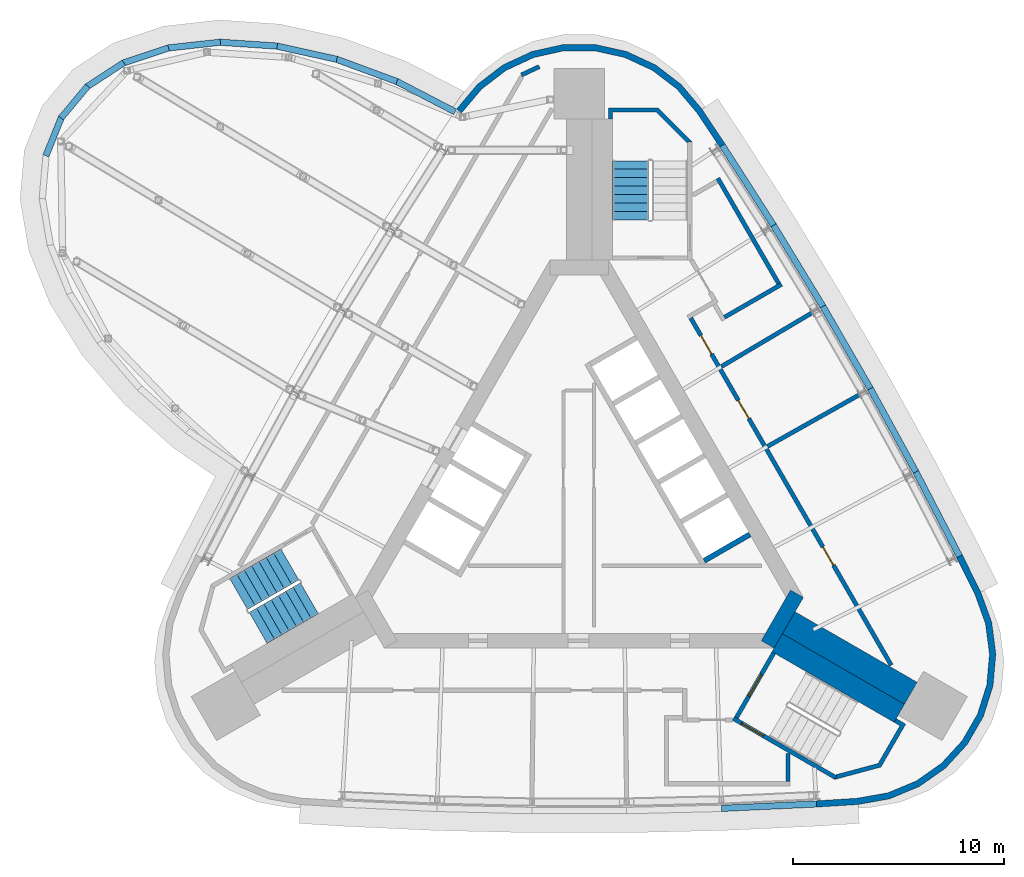
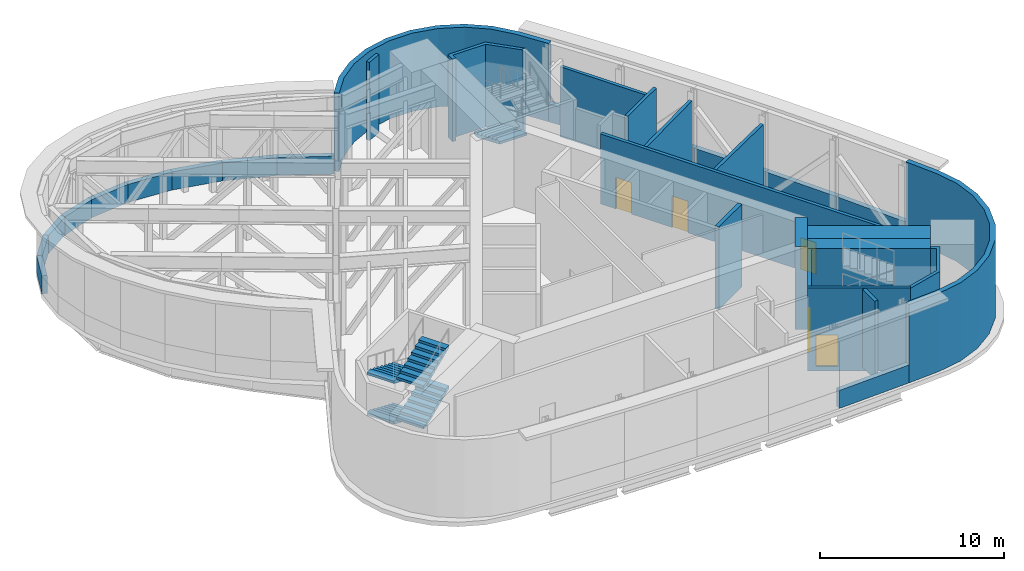
# One storey, part 8 of 11: 32 walls, 5 doors, 5 stair flights, 5 openings, 2 elements without a shape of their own.
"""IFC4 building model written with IfcOpenShell, lengths in metres."""

from ifc_helpers import new_model, si_unit, direction, frame, frame_2d, origin, place, context, subcontext, project, spatial, polyline, rectangle, outline, extrude, material, layer, layer_set, type_object, element, fill, aggregate, save


model = new_model("IFC4")

# Units and contexts
model_context = context("Model", 3, precision=1e-05, world=origin(), true_north=direction((0.0, 1.0)))
body_context = subcontext(model_context, "Body", "Model", "MODEL_VIEW")
ifc_project = project(units=[si_unit("LENGTHUNIT", "METRE"), si_unit("AREAUNIT", "SQUARE_METRE"), si_unit("VOLUMEUNIT", "CUBIC_METRE"), si_unit("PLANEANGLEUNIT", "RADIAN"), si_unit("MASSUNIT", "GRAM", prefix="KILO")], contexts=[model_context])

# Site, building, storey
site_placement = place(None, origin())
site = spatial("IfcSite", under=ifc_project, at=site_placement, CompositionType="ELEMENT")
building_placement = place(site_placement, origin())
building = spatial("IfcBuilding", under=site, at=building_placement, Name="Noor Cloister Tower", CompositionType="ELEMENT")
storey_placement = place(building_placement, frame((0.0, 0.0, 258.0)))
storey = spatial("IfcBuildingStorey", under=building, at=storey_placement, Name="L66", CompositionType="ELEMENT", Elevation=258.0)

# Walls
ifc_material_1 = material(Name="Concrete C60/75", Category="concrete")
ifc_layer_1 = layer(ifc_material_1, 1.199951171875)
ifc_layer_set_1 = layer_set([ifc_layer_1], Name="Buttress wall 1200 C60/75")
wall_type_1 = type_object("IfcWallType", Name="Buttress wall 1200 C60/75", PredefinedType="SHEAR", material=ifc_layer_set_1)
wall_1_placement = place(storey_placement, frame((9.921630859375, -5.728271484375, -0.300048828125), z_axis=(0.0, 0.0, 1.0), x_axis=(0.866032176823, -0.499988268569, 0.0)))
element("IfcWall", 1, at=wall_1_placement, inside=storey, type_object=wall_type_1, Name="Buttress wall SE L66", PredefinedType="SHEAR", context=body_context, shape_type="SweptSolid", body=[
    extrude(rectangle(XDim=6.678466796875, YDim=1.199951171875, at=frame_2d((3.33935546875, 0.0))), origin(), (0.0, 0.0, 1.0), 5.5),
])
ifc_material_2 = material(Name="Concrete C60/75", Category="concrete")
ifc_layer_2 = layer(ifc_material_2, 0.699951171875)
ifc_layer_set_2 = layer_set([ifc_layer_2], Name="Core wall 700 C60/75")
wall_type_2 = type_object("IfcWallType", Name="Core wall 700 C60/75", PredefinedType="SHEAR", material=ifc_layer_set_2)
wall_2_placement = place(storey_placement, frame((8.925537109375, -6.753173828125, -0.300048828125), z_axis=(0.0, 0.0, 1.0), x_axis=(0.500042739161, 0.866000726912, 0.0)))
element("IfcWall", 2, at=wall_2_placement, inside=storey, type_object=wall_type_2, Name="Core wall L66 2", PredefinedType="SHEAR", context=body_context, shape_type="SweptSolid", body=[
    extrude(rectangle(XDim=2.771240234375, YDim=0.699951171875, at=frame_2d((1.3857421875, 0.0))), origin(), (0.0, 0.0, 1.0), 5.5),
])
ifc_material_3 = material(Name="Limestone", Category="masonry")
ifc_layer_3 = layer(ifc_material_3, 0.300048828125)
ifc_layer_set_3 = layer_set([ifc_layer_3], Name="Limestone cladding 300")
wall_type_3 = type_object("IfcWallType", Name="Limestone cladding 300", PredefinedType="NOTDEFINED", material=ifc_layer_set_3)
wall_3_placement = place(storey_placement, origin())
element("IfcWall", 3, at=wall_3_placement, inside=storey, type_object=wall_type_3, Name="Limestone pier cladding L66 2.1", PredefinedType="NOTDEFINED", context=body_context, shape_type="SweptSolid", body=[
    extrude(outline(polyline([(11.24365234375, -14.46044921875), (13.21142578125, -14.336181640625), (14.707763671875, -14.068603515625), (16.11083984375, -13.484619140625), (17.35498046875, -12.611083984375), (18.381103515625, -11.489990234375), (19.14111328125, -10.173583984375), (19.59912109375, -8.724365234375), (19.7333984375, -7.210205078125), (19.53759765625, -5.702880859375), (19.021240234375, -4.2734375), (18.14501953125, -2.507080078125), (17.876220703125, -2.640380859375), (18.744873046875, -4.391357421875), (19.244384765625, -5.77392578125), (19.431640625, -7.21630859375), (19.30322265625, -8.6650390625), (18.864990234375, -10.052001953125), (18.1376953125, -11.3115234375), (17.15576171875, -12.384521484375), (15.96533203125, -13.22021484375), (14.62255859375, -13.779052734375), (13.175537109375, -14.037841796875), (11.224853515625, -14.1611328125), (11.24365234375, -14.46044921875)])), origin(), (0.0, 0.0, 1.0), 5.199951171875),
])
wall_4_placement = place(storey_placement, origin())
element("IfcWall", 4, at=wall_4_placement, inside=storey, type_object=wall_type_3, Name="Limestone pier cladding L66 3.1", PredefinedType="NOTDEFINED", context=body_context, shape_type="SweptSolid", body=[
    extrude(outline(polyline([(6.9013671875, 16.967529296875), (5.809814453125, 18.609619140625), (4.830078125, 19.771484375), (3.62255859375, 20.69482421875), (2.244140625, 21.33544921875), (0.760009765625, 21.66357421875), (-0.760009765625, 21.66357421875), (-2.244140625, 21.33544921875), (-3.62255859375, 20.69482421875), (-4.830078125, 19.771484375), (-5.809814453125, 18.609619140625), (-5.580322265625, 18.416259765625), (-4.621826171875, 19.55322265625), (-3.46630859375, 20.4365234375), (-2.1474609375, 21.049560546875), (-0.727294921875, 21.363525390625), (0.727294921875, 21.363525390625), (2.1474609375, 21.049560546875), (3.46630859375, 20.4365234375), (4.621826171875, 19.55322265625), (5.5693359375, 18.42919921875), (6.6513671875, 16.801513671875), (6.9013671875, 16.967529296875)])), origin(), (0.0, 0.0, 1.0), 5.199951171875),
])
ifc_material_4 = material(Name="Limestone", Category="masonry")
ifc_layer_4 = layer(ifc_material_4, 0.300048828125)
ifc_layer_set_4 = layer_set([ifc_layer_4], Name="Limestone panel wall 300")
wall_type_4 = type_object("IfcWallType", Name="Limestone panel wall 300", PredefinedType="NOTDEFINED", material=ifc_layer_set_4)
wall_5_placement = place(storey_placement, origin())
element("IfcWall", 5, at=wall_5_placement, inside=storey, type_object=wall_type_4, Name="Limestone panel wall L66 1.1", PredefinedType="NOTDEFINED", context=body_context, shape_type="SweptSolid", body=[
    extrude(outline(polyline([(-5.809814453125, 18.609619140625), (-8.585205078125, 20.05078125), (-8.7236328125, 19.784423828125), (-5.947998046875, 18.34326171875), (-5.809814453125, 18.609619140625)])), origin(), (0.0, 0.0, 1.0), 1.199951171875),
])
wall_6_placement = place(storey_placement, origin())
element("IfcWall", 6, at=wall_6_placement, inside=storey, type_object=wall_type_4, Name="Limestone panel wall L66 1.2", PredefinedType="NOTDEFINED", context=body_context, shape_type="SweptSolid", body=[
    extrude(outline(polyline([(-8.585205078125, 20.05078125), (-11.451416015625, 21.107421875), (-11.55517578125, 20.825927734375), (-8.68896484375, 19.769287109375), (-8.585205078125, 20.05078125)])), origin(), (0.0, 0.0, 1.0), 1.199951171875),
])
wall_7_placement = place(storey_placement, origin())
element("IfcWall", 7, at=wall_7_placement, inside=storey, type_object=wall_type_4, Name="Limestone panel wall L66 1.3", PredefinedType="NOTDEFINED", context=body_context, shape_type="SweptSolid", body=[
    extrude(outline(polyline([(-11.451416015625, 21.107421875), (-14.298095703125, 21.7392578125), (-14.363037109375, 21.446533203125), (-11.516357421875, 20.814697265625), (-11.451416015625, 21.107421875)])), origin(), (0.0, 0.0, 1.0), 1.199951171875),
])
wall_8_placement = place(storey_placement, origin())
element("IfcWall", 8, at=wall_8_placement, inside=storey, type_object=wall_type_4, Name="Limestone panel wall L66 1.4", PredefinedType="NOTDEFINED", context=body_context, shape_type="SweptSolid", body=[
    extrude(outline(polyline([(-14.298095703125, 21.7392578125), (-17.015869140625, 21.921875), (-17.035888671875, 21.62255859375), (-14.318115234375, 21.43994140625), (-14.298095703125, 21.7392578125)])), origin(), (0.0, 0.0, 1.0), 1.199951171875),
])
wall_9_placement = place(storey_placement, origin())
element("IfcWall", 9, at=wall_9_placement, inside=storey, type_object=wall_type_4, Name="Limestone panel wall L66 1.5", PredefinedType="NOTDEFINED", context=body_context, shape_type="SweptSolid", body=[
    extrude(outline(polyline([(-17.015869140625, 21.921875), (-19.500244140625, 21.6484375), (-19.46728515625, 21.35009765625), (-16.98291015625, 21.623779296875), (-17.015869140625, 21.921875)])), origin(), (0.0, 0.0, 1.0), 1.199951171875),
])
wall_10_placement = place(storey_placement, origin())
element("IfcWall", 10, at=wall_10_placement, inside=storey, type_object=wall_type_4, Name="Limestone panel wall L66 1.6", PredefinedType="NOTDEFINED", context=body_context, shape_type="SweptSolid", body=[
    extrude(outline(polyline([(-19.500244140625, 21.6484375), (-21.65576171875, 20.928955078125), (-21.560791015625, 20.64453125), (-19.4052734375, 21.36376953125), (-19.500244140625, 21.6484375)])), origin(), (0.0, 0.0, 1.0), 1.199951171875),
])
wall_11_placement = place(storey_placement, origin())
element("IfcWall", 11, at=wall_11_placement, inside=storey, type_object=wall_type_4, Name="Limestone panel wall L66 1.7", PredefinedType="NOTDEFINED", context=body_context, shape_type="SweptSolid", body=[
    extrude(outline(polyline([(-21.65576171875, 20.928955078125), (-23.399658203125, 19.79150390625), (-23.23583984375, 19.540283203125), (-21.491943359375, 20.677734375), (-21.65576171875, 20.928955078125)])), origin(), (0.0, 0.0, 1.0), 1.199951171875),
])
wall_12_placement = place(storey_placement, origin())
element("IfcWall", 12, at=wall_12_placement, inside=storey, type_object=wall_type_4, Name="Limestone panel wall L66 1.8", PredefinedType="NOTDEFINED", context=body_context, shape_type="SweptSolid", body=[
    extrude(outline(polyline([(-23.399658203125, 19.79150390625), (-24.6650390625, 18.27978515625), (-24.43505859375, 18.087158203125), (-23.169677734375, 19.59912109375), (-23.399658203125, 19.79150390625)])), origin(), (0.0, 0.0, 1.0), 1.199951171875),
])
wall_13_placement = place(storey_placement, origin())
element("IfcWall", 13, at=wall_13_placement, inside=storey, type_object=wall_type_4, Name="Limestone panel wall L66 1.9", PredefinedType="NOTDEFINED", context=body_context, shape_type="SweptSolid", body=[
    extrude(outline(polyline([(-24.6650390625, 18.27978515625), (-25.403076171875, 16.45166015625), (-25.124755859375, 16.33935546875), (-24.386962890625, 18.16748046875), (-24.6650390625, 18.27978515625)])), origin(), (0.0, 0.0, 1.0), 1.199951171875),
])
wall_14_placement = place(storey_placement, origin())
element("IfcWall", 14, at=wall_14_placement, inside=storey, type_object=wall_type_4, Name="Limestone panel wall L66 3.5", PredefinedType="NOTDEFINED", context=body_context, shape_type="SweptSolid", body=[
    extrude(outline(polyline([(6.74853515625, -14.669189453125), (11.24365234375, -14.46044921875), (11.229736328125, -14.160888671875), (6.734619140625, -14.369384765625), (6.74853515625, -14.669189453125)])), origin(), (0.0, 0.0, 1.0), 1.199951171875),
])
wall_15_placement = place(storey_placement, origin())
element("IfcWall", 15, at=wall_15_placement, inside=storey, type_object=wall_type_4, Name="Limestone panel wall L66 4.1", PredefinedType="NOTDEFINED", context=body_context, shape_type="SweptSolid", body=[
    extrude(outline(polyline([(18.14501953125, -2.507080078125), (16.078125, 1.489990234375), (15.811767578125, 1.352294921875), (17.87841796875, -2.644775390625), (18.14501953125, -2.507080078125)])), origin(), (0.0, 0.0, 1.0), 1.199951171875),
])
wall_16_placement = place(storey_placement, origin())
element("IfcWall", 16, at=wall_16_placement, inside=storey, type_object=wall_type_4, Name="Limestone panel wall L66 4.2", PredefinedType="NOTDEFINED", context=body_context, shape_type="SweptSolid", body=[
    extrude(outline(polyline([(16.078125, 1.489990234375), (13.919189453125, 5.438232421875), (13.656005859375, 5.294189453125), (15.81494140625, 1.34619140625), (16.078125, 1.489990234375)])), origin(), (0.0, 0.0, 1.0), 1.199951171875),
])
wall_17_placement = place(storey_placement, origin())
element("IfcWall", 17, at=wall_17_placement, inside=storey, type_object=wall_type_4, Name="Limestone panel wall L66 4.3", PredefinedType="NOTDEFINED", context=body_context, shape_type="SweptSolid", body=[
    extrude(outline(polyline([(13.919189453125, 5.438232421875), (11.669189453125, 9.335205078125), (11.409423828125, 9.185302734375), (13.659423828125, 5.288330078125), (13.919189453125, 5.438232421875)])), origin(), (0.0, 0.0, 1.0), 1.199951171875),
])
wall_18_placement = place(storey_placement, origin())
element("IfcWall", 18, at=wall_18_placement, inside=storey, type_object=wall_type_4, Name="Limestone panel wall L66 4.4", PredefinedType="NOTDEFINED", context=body_context, shape_type="SweptSolid", body=[
    extrude(outline(polyline([(11.669189453125, 9.335205078125), (9.32958984375, 13.178955078125), (9.0732421875, 13.02294921875), (11.4130859375, 9.17919921875), (11.669189453125, 9.335205078125)])), origin(), (0.0, 0.0, 1.0), 1.199951171875),
])
wall_19_placement = place(storey_placement, origin())
element("IfcWall", 19, at=wall_19_placement, inside=storey, type_object=wall_type_4, Name="Limestone panel wall L66 4.5", PredefinedType="NOTDEFINED", context=body_context, shape_type="SweptSolid", body=[
    extrude(outline(polyline([(9.32958984375, 13.178955078125), (6.9013671875, 16.967529296875), (6.648681640625, 16.8056640625), (9.076904296875, 13.01708984375), (9.32958984375, 13.178955078125)])), origin(), (0.0, 0.0, 1.0), 1.199951171875),
])
ifc_material_5 = material(Name="Concrete C60/75", Category="concrete")
ifc_layer_5 = layer(ifc_material_5, 0.25)
ifc_layer_set_5 = layer_set([ifc_layer_5], Name="Shaft wall 250 C60/75")
wall_type_5 = type_object("IfcWallType", Name="Shaft wall 250 C60/75", PredefinedType="PARTITIONING", material=ifc_layer_set_5)
wall_20_placement = place(storey_placement, frame((8.081298828125, -1.540771484375, -0.300048828125), z_axis=(0.0, 0.0, 1.0), x_axis=(-0.866022959057, -0.500004234368, 0.0)))
element("IfcWall", 20, at=wall_20_placement, inside=storey, type_object=wall_type_5, Name="Lift shaft wall L66 NE 1", PredefinedType="PARTITIONING", context=body_context, shape_type="SweptSolid", body=[
    extrude(rectangle(XDim=2.5, YDim=0.25, at=frame_2d((1.25, 0.0))), origin(), (0.0, 0.0, 1.0), 5.5),
])

# Wall, opening, door
ifc_material_6 = material(Name="Concrete C60/75", Category="concrete")
ifc_layer_6 = layer(ifc_material_6, 0.199951171875)
ifc_layer_set_6 = layer_set([ifc_layer_6], Name="Stair enclosure wall 200 C60/75")
wall_type_6 = type_object("IfcWallType", Name="Stair enclosure wall 200 C60/75", PredefinedType="SHEAR", material=ifc_layer_set_6)
wall_21_placement = place(storey_placement, frame((7.440185546875, -10.225830078125, -0.300048828125), z_axis=(0.0, 0.0, 1.0), x_axis=(0.500022077904, 0.866012656725, 0.0)))
wall_21 = element("IfcWall", 21, at=wall_21_placement, inside=storey, type_object=wall_type_6, Name="Stair enclosure wall ST3 L66 near end", PredefinedType="SHEAR", context=body_context, shape_type="SweptSolid", body=[
    extrude(rectangle(XDim=3.550048828125, YDim=0.199951171875, at=frame_2d((1.77490234375, 0.0))), origin(), (0.0, 0.0, 1.0), 5.5),
])
opening_1_placement = place(wall_21_placement, frame((1.175048828125, 0.0, 0.300048828125)))
opening_1 = element("IfcOpeningElement", 22, at=opening_1_placement, cuts=wall_21, Name="Opening L66-ST3L", PredefinedType="OPENING", context=body_context, shape_type="SweptSolid", body=[
    extrude(rectangle(XDim=1.199951171875, YDim=2.10009765625, at=frame_2d((0.60009765625, 1.050048828125))), frame((0.0, 0.10986328125, 0.0), z_axis=(0.0, -1.0, 0.0), x_axis=(1.0, 0.0, 0.0)), (0.0, 0.0, 1.0), 0.219970703125),
])
ifc_material_7 = material(Name="Steel", Category="steel")
door_type_1 = type_object("IfcDoorType", Name="Stair door 1200 x 2100 FD120", OperationType="SINGLE_SWING_LEFT", PredefinedType="DOOR", material=ifc_material_7)
door_1_placement = place(opening_1_placement, origin())
door_1 = element("IfcDoor", 23, at=door_1_placement, inside=storey, type_object=door_type_1, Name="Stair door ST3 L66", OperationType="SINGLE_SWING_RIGHT", OverallHeight=2.10009765625, OverallWidth=1.199951171875, PredefinedType="DOOR", context=body_context, shape_type="SweptSolid", body=[
    extrude(rectangle(XDim=1.199951171875, YDim=2.10009765625, at=frame_2d((0.60009765625, 1.050048828125))), frame((0.0, 0.02490234375, 0.0), z_axis=(0.0, -1.0, 0.0), x_axis=(1.0, 0.0, 0.0)), (0.0, 0.0, 1.0), 0.050048828125),
])
fill(opening_1, door_1)

wall_22_placement = place(storey_placement, frame((7.3037109375, -10.262451171875, -0.300048828125), z_axis=(0.0, 0.0, 1.0), x_axis=(0.866026594901, -0.49999793692, 0.0)))
wall_22 = element("IfcWall", 24, at=wall_22_placement, inside=storey, type_object=wall_type_6, Name="Stair enclosure wall ST3 L66 outer side", PredefinedType="SHEAR", context=body_context, shape_type="SweptSolid", body=[
    extrude(rectangle(XDim=5.60009765625, YDim=0.199951171875, at=frame_2d((2.800048828125, 0.0))), origin(), (0.0, 0.0, 1.0), 5.5),
])
opening_2_placement = place(wall_22_placement, frame((0.449951171875, 0.0, 0.300048828125)))
opening_2 = element("IfcOpeningElement", 25, at=opening_2_placement, cuts=wall_22, Name="Opening L66-ST3C", PredefinedType="OPENING", context=body_context, shape_type="SweptSolid", body=[
    extrude(rectangle(XDim=1.199951171875, YDim=2.10009765625, at=frame_2d((0.60009765625, 1.050048828125))), frame((0.0, 0.10986328125, 0.0), z_axis=(0.0, -1.0, 0.0), x_axis=(1.0, 0.0, 0.0)), (0.0, 0.0, 1.0), 0.219970703125),
])
door_2_placement = place(opening_2_placement, origin())
door_2 = element("IfcDoor", 26, at=door_2_placement, inside=storey, type_object=door_type_1, Name="Stair door ST3 L66", OperationType="SINGLE_SWING_LEFT", OverallHeight=2.10009765625, OverallWidth=1.199951171875, PredefinedType="DOOR", context=body_context, shape_type="SweptSolid", body=[
    extrude(rectangle(XDim=1.199951171875, YDim=2.10009765625, at=frame_2d((0.60009765625, 1.050048828125))), frame((0.0, 0.02490234375, 0.0), z_axis=(0.0, -1.0, 0.0), x_axis=(1.0, 0.0, 0.0)), (0.0, 0.0, 1.0), 0.050048828125),
])
fill(opening_2, door_2)

# Walls
ifc_material_8 = material(Name="Concrete C60/75", Category="concrete")
ifc_layer_7 = layer(ifc_material_8, 0.986083984375)
ifc_layer_set_7 = layer_set([ifc_layer_7], Name="Stair enclosure wall 986 C60/75")
wall_type_7 = type_object("IfcWallType", Name="Stair enclosure wall 986 C60/75", PredefinedType="SHEAR", material=ifc_layer_set_7)
wall_23_placement = place(storey_placement, frame((9.375, -6.674560546875, -0.300048828125), z_axis=(0.0, 0.0, 1.0), x_axis=(0.866025486527, -0.499999856685, 0.0)))
element("IfcWall", 27, at=wall_23_placement, inside=storey, type_object=wall_type_7, Name="Stair enclosure wall ST3 L66 riser side", PredefinedType="SHEAR", context=body_context, shape_type="SweptSolid", body=[
    extrude(rectangle(XDim=6.6787109375, YDim=0.985595703125, at=frame_2d((3.33935546875, 0.0))), origin(), (0.0, 0.0, 1.0), 5.5),
])
ifc_material_9 = material(Name="Concrete C60/75", Category="concrete")
wall_type_8 = type_object("IfcWallType", Name="Stair far end wall C60/75", PredefinedType="SHEAR", material=ifc_material_9)
wall_24_placement = place(storey_placement, frame((0.0, 0.0, -0.300048828125)))
element("IfcWall", 28, at=wall_24_placement, inside=storey, type_object=wall_type_8, Name="Stair enclosure wall ST1 L66 far end", PredefinedType="SHEAR", context=body_context, shape_type="SweptSolid", body=[
    extrude(outline(polyline([(5.335693359375, 17.056396484375), (3.735595703125, 18.656494140625), (1.385498046875, 18.656494140625), (1.385498046875, 18.135009765625), (1.585693359375, 18.135009765625), (1.585693359375, 18.456298828125), (3.65283203125, 18.456298828125), (5.135498046875, 16.9736328125), (5.135498046875, 17.056396484375), (5.135498046875, 17.056396484375), (5.135498046875, 17.056396484375), (5.135498046875, 17.056396484375), (5.135498046875, 17.056396484375), (5.135498046875, 17.056396484375), (5.135498046875, 17.056396484375), (5.135498046875, 17.056396484375), (5.135498046875, 17.056396484375), (5.135498046875, 17.056396484375), (5.135498046875, 17.056396484375), (5.135498046875, 17.056396484375), (5.135498046875, 17.056396484375), (5.135498046875, 17.056396484375), (5.135498046875, 17.056396484375), (5.135498046875, 17.056396484375), (5.135498046875, 17.056396484375), (5.335693359375, 17.056396484375)])), origin(), (0.0, 0.0, 1.0), 5.5),
])
wall_25_placement = place(storey_placement, frame((0.0, 0.0, -0.300048828125)))
element("IfcWall", 29, at=wall_25_placement, inside=storey, type_object=wall_type_8, Name="Stair enclosure wall ST3 L66 far end", PredefinedType="SHEAR", context=body_context, shape_type="SweptSolid", body=[
    extrude(outline(polyline([(12.103515625, -13.14892578125), (14.2890625, -12.5634765625), (15.464111328125, -10.5283203125), (15.0126953125, -10.267578125), (14.91259765625, -10.440673828125), (15.19091796875, -10.601318359375), (14.1572265625, -12.3916015625), (12.131591796875, -12.934326171875), (12.20361328125, -12.975830078125), (12.20361328125, -12.975830078125), (12.20361328125, -12.975830078125), (12.20361328125, -12.975830078125), (12.20361328125, -12.975830078125), (12.20361328125, -12.975830078125), (12.20361328125, -12.975830078125), (12.20361328125, -12.975830078125), (12.20361328125, -12.975830078125), (12.20361328125, -12.975830078125), (12.20361328125, -12.975830078125), (12.20361328125, -12.975830078125), (12.20361328125, -12.975830078125), (12.20361328125, -12.975830078125), (12.20361328125, -12.975830078125), (12.20361328125, -12.975830078125), (12.20361328125, -12.975830078125), (12.103515625, -13.14892578125)])), origin(), (0.0, 0.0, 1.0), 5.5),
])
ifc_material_10 = material(Name="Concrete block wall, 200 mm", Category="concrete")
ifc_layer_8 = layer(ifc_material_10, 0.199951171875)
ifc_layer_set_8 = layer_set([ifc_layer_8], Name="Upper floor plant room wall 200")
wall_type_9 = type_object("IfcWallType", Name="Upper floor plant room wall 200", PredefinedType="PARTITIONING", material=ifc_layer_set_8)
wall_26_placement = place(storey_placement, frame((-2.742919921875, 20.221435546875, 0.0), z_axis=(0.0, 0.0, 1.0), x_axis=(0.906862789236, 0.421426009518, 0.0)))
element("IfcWall", 30, at=wall_26_placement, inside=storey, type_object=wall_type_9, Name="Upper floor plant room wall 200 L66 002", PredefinedType="PARTITIONING", context=body_context, shape_type="SweptSolid", body=[
    extrude(rectangle(XDim=0.934326171875, YDim=0.199951171875, at=frame_2d((0.46728515625, 0.0))), origin(), (0.0, 0.0, 1.0), 5.199951171875),
])
wall_27_placement = place(storey_placement, frame((9.892578125, -13.249755859375, 0.0), z_axis=(0.0, 0.0, 1.0), x_axis=(0.0, 1.0, 0.0)))
element("IfcWall", 31, at=wall_27_placement, inside=storey, type_object=wall_type_9, Name="Upper floor plant room wall 200 L66 012", PredefinedType="PARTITIONING", context=body_context, shape_type="SweptSolid", body=[
    extrude(rectangle(XDim=1.319580078125, YDim=0.199951171875, at=frame_2d((0.65966796875, 0.0))), origin(), (0.0, 0.0, 1.0), 5.199951171875),
])

# Wall, openings, doors
wall_28_placement = place(storey_placement, frame((5.281982421875, 8.70751953125, 0.0), z_axis=(0.0, 0.0, 1.0), x_axis=(0.500007704848, -0.866020955343, 0.0)))
wall_28 = element("IfcWall", 32, at=wall_28_placement, inside=storey, type_object=wall_type_9, Name="Upper floor plant room wall 200 L66 016", PredefinedType="PARTITIONING", context=body_context, shape_type="SweptSolid", body=[
    extrude(rectangle(XDim=18.990966796875, YDim=0.199951171875, at=frame_2d((9.49560546875, 0.0))), origin(), (0.0, 0.0, 1.0), 4.652099609375),
])
opening_3_placement = place(wall_28_placement, frame((12.521484375, 0.0, 0.0)))
opening_3 = element("IfcOpeningElement", 33, at=opening_3_placement, cuts=wall_28, Name="Opening L66-007", PredefinedType="OPENING", context=body_context, shape_type="SweptSolid", body=[
    extrude(rectangle(XDim=1.0, YDim=2.10009765625, at=frame_2d((0.5, 1.050048828125))), frame((0.0, 0.10986328125, 0.0), z_axis=(0.0, -1.0, 0.0), x_axis=(1.0, 0.0, 0.0)), (0.0, 0.0, 1.0), 0.219970703125),
])
opening_4_placement = place(wall_28_placement, frame((4.50244140625, 0.0, 0.0)))
opening_4 = element("IfcOpeningElement", 34, at=opening_4_placement, cuts=wall_28, Name="Opening L66-008", PredefinedType="OPENING", context=body_context, shape_type="SweptSolid", body=[
    extrude(rectangle(XDim=1.0, YDim=2.10009765625, at=frame_2d((0.5, 1.050048828125))), frame((0.0, 0.10986328125, 0.0), z_axis=(0.0, -1.0, 0.0), x_axis=(1.0, 0.0, 0.0)), (0.0, 0.0, 1.0), 0.219970703125),
])
opening_5_placement = place(wall_28_placement, frame((0.96533203125, 0.0, 0.0)))
opening_5 = element("IfcOpeningElement", 35, at=opening_5_placement, cuts=wall_28, Name="Opening L66-009", PredefinedType="OPENING", context=body_context, shape_type="SweptSolid", body=[
    extrude(rectangle(XDim=1.0, YDim=2.10009765625, at=frame_2d((0.5, 1.050048828125))), frame((0.0, 0.10986328125, 0.0), z_axis=(0.0, -1.0, 0.0), x_axis=(1.0, 0.0, 0.0)), (0.0, 0.0, 1.0), 0.219970703125),
])
ifc_material_11 = material(Name="Timber door leaf with steel frame", Category="steel")
door_type_2 = type_object("IfcDoorType", Name="Plant room door 1000", OperationType="NOTDEFINED", PredefinedType="DOOR", material=ifc_material_11)
door_3_placement = place(opening_3_placement, origin())
door_3 = element("IfcDoor", 36, at=door_3_placement, inside=storey, type_object=door_type_2, Name="Plant room door 1000 L66-007", OperationType="SINGLE_SWING_RIGHT", OverallHeight=2.10009765625, OverallWidth=1.0, PredefinedType="DOOR", context=body_context, shape_type="SweptSolid", body=[
    extrude(rectangle(XDim=1.0, YDim=2.10009765625, at=frame_2d((0.5, 1.050048828125))), frame((0.0, 0.02490234375, 0.0), z_axis=(0.0, -1.0, 0.0), x_axis=(1.0, 0.0, 0.0)), (0.0, 0.0, 1.0), 0.050048828125),
])
fill(opening_3, door_3)
door_4_placement = place(opening_4_placement, origin())
door_4 = element("IfcDoor", 37, at=door_4_placement, inside=storey, type_object=door_type_2, Name="Plant room door 1000 L66-008", OperationType="SINGLE_SWING_LEFT", OverallHeight=2.10009765625, OverallWidth=1.0, PredefinedType="DOOR", context=body_context, shape_type="SweptSolid", body=[
    extrude(rectangle(XDim=1.0, YDim=2.10009765625, at=frame_2d((0.5, 1.050048828125))), frame((0.0, 0.02490234375, 0.0), z_axis=(0.0, -1.0, 0.0), x_axis=(1.0, 0.0, 0.0)), (0.0, 0.0, 1.0), 0.050048828125),
])
fill(opening_4, door_4)
door_5_placement = place(opening_5_placement, origin())
door_5 = element("IfcDoor", 38, at=door_5_placement, inside=storey, type_object=door_type_2, Name="Plant room door 1000 L66-009", OperationType="SINGLE_SWING_LEFT", OverallHeight=2.10009765625, OverallWidth=1.0, PredefinedType="DOOR", context=body_context, shape_type="SweptSolid", body=[
    extrude(rectangle(XDim=1.0, YDim=2.10009765625, at=frame_2d((0.5, 1.050048828125))), frame((0.0, 0.02490234375, 0.0), z_axis=(0.0, -1.0, 0.0), x_axis=(1.0, 0.0, 0.0)), (0.0, 0.0, 1.0), 0.050048828125),
])
fill(opening_5, door_5)

# Walls
for number, where, z_axis, x_axis, name in (
    (39, (8.911376953125, 2.623779296875, 0.0), (0.0, 0.0, 1.0), (0.871756434121, 0.48993950603, 0.0), "Upper floor plant room wall 200 L66 017"),
    (40, (6.72802734375, 6.405517578125, 0.0), (0.0, 0.0, 1.0), (0.860167296251, 0.510011982664, 0.0), "Upper floor plant room wall 200 L66 018"),
):
    element("IfcWall", number, at=place(storey_placement, frame(where, z_axis=z_axis, x_axis=x_axis)), inside=storey, type_object=wall_type_9, Name=name, PredefinedType="PARTITIONING", context=body_context, shape_type="SweptSolid", body=[
        extrude(rectangle(XDim=5.04443359375, YDim=0.199951171875, at=frame_2d((2.522216796875, 0.0))), origin(), (0.0, 0.0, 1.0), 4.652099609375),
    ])
wall_29_placement = place(storey_placement, frame((6.877685546875, 8.743896484375, 0.0), z_axis=(0.0, 0.0, 1.0), x_axis=(0.866025387892, 0.500000027526, 0.0)))
element("IfcWall", 41, at=wall_29_placement, inside=storey, type_object=wall_type_9, Name="Upper floor plant room wall 200 L66 019", PredefinedType="PARTITIONING", context=body_context, shape_type="SweptSolid", body=[
    extrude(rectangle(XDim=3.12158203125, YDim=0.199951171875, at=frame_2d((1.560791015625, 0.0))), origin(), (0.0, 0.0, 1.0), 5.199951171875),
])
wall_30_placement = place(storey_placement, frame((9.444580078125, 10.34130859375, 0.0), z_axis=(0.0, 0.0, 1.0), x_axis=(-0.499996461177, 0.866027446915, 0.0)))
element("IfcWall", 42, at=wall_30_placement, inside=storey, type_object=wall_type_9, Name="Upper floor plant room wall 200 L66 020", PredefinedType="PARTITIONING", context=body_context, shape_type="SweptSolid", body=[
    extrude(rectangle(XDim=5.7587890625, YDim=0.199951171875, at=frame_2d((2.87939453125, 0.0))), origin(), (0.0, 0.0, 1.0), 4.652099609375),
])

# Stair, stair flight
ifc_material_12 = material(Name="Concrete C40/50", Category="concrete")
stair_type = type_object("IfcStairType", Name="Exit stair 32 risers", PredefinedType="HALF_TURN_STAIR", material=ifc_material_12)
stair_1_placement = place(storey_placement, origin())
stair_1 = element("IfcStair", 43, at=stair_1_placement, inside=storey, type_object=stair_type, Name="Exit stair ST1 L66", PredefinedType="HALF_TURN_STAIR")
ifc_material_13 = material(Name="Concrete C40/50", Category="concrete")
stair_flight_type = type_object("IfcStairFlightType", Name="Exit stair flight", PredefinedType="STRAIGHT", material=ifc_material_13)
stair_flight_1_placement = place(storey_placement, frame((2.435546875, 16.156494140625, 1.35009765625), z_axis=(0.0, 0.0, 1.0), x_axis=(0.0, -1.0, 0.0)))
stair_flight_1 = element("IfcStairFlight", 44, at=stair_flight_1_placement, type_object=stair_flight_type, Name="ST1 flight 2", NumberOfRisers=8, NumberOfTreads=7, PredefinedType="STRAIGHT", RiserHeight=0.16875, TreadLength=0.4, context=body_context, shape_type="SweptSolid", body=[
    extrude(outline(polyline([(0.0, 0.0), (0.0, 0.168701171875), (0.39990234375, 0.168701171875), (0.39990234375, 0.33740234375), (0.800048828125, 0.33740234375), (0.800048828125, 0.50634765625), (1.199951171875, 0.50634765625), (1.199951171875, 0.675048828125), (1.60009765625, 0.675048828125), (1.60009765625, 0.84375), (2.0, 0.84375), (2.0, 1.012451171875), (2.39990234375, 1.012451171875), (2.39990234375, 1.18115234375), (2.800048828125, 1.18115234375), (2.800048828125, 1.35009765625), (2.800048828125, 1.0185546875), (0.3857421875, 0.0), (0.0, 0.0)])), frame((0.0, 0.85009765625, 0.0), z_axis=(0.0, -1.0, 0.0), x_axis=(1.0, 0.0, 0.0)), (0.0, 0.0, 1.0), 1.699951171875),
])
aggregate(stair_1, [stair_flight_1])

# Stair, stair flights
stair_2_placement = place(storey_placement, origin())
stair_2 = element("IfcStair", 45, at=stair_2_placement, inside=storey, type_object=stair_type, Name="Exit stair ST2 L66", PredefinedType="HALF_TURN_STAIR")
stair_flight_2_placement = place(storey_placement, frame((-13.709716796875, -2.966796875, 0.0), z_axis=(0.0, 0.0, 1.0), x_axis=(-0.866025403784, -0.5, 0.0)))
stair_flight_2 = element("IfcStairFlight", 46, at=stair_flight_2_placement, type_object=stair_flight_type, Name="ST2 flight 1", NumberOfRisers=8, NumberOfTreads=7, PredefinedType="STRAIGHT", RiserHeight=0.16875, TreadLength=0.4, context=body_context, shape_type="SweptSolid", body=[
    extrude(outline(polyline([(0.0, 0.0), (0.0, 0.168701171875), (0.39990234375, 0.168701171875), (0.39990234375, 0.33740234375), (0.800048828125, 0.33740234375), (0.800048828125, 0.50634765625), (1.199951171875, 0.50634765625), (1.199951171875, 0.675048828125), (1.60009765625, 0.675048828125), (1.60009765625, 0.84375), (2.0, 0.84375), (2.0, 1.012451171875), (2.39990234375, 1.012451171875), (2.39990234375, 1.18115234375), (2.800048828125, 1.18115234375), (2.800048828125, 1.35009765625), (2.800048828125, 1.0185546875), (0.3857421875, 0.0), (0.0, 0.0)])), frame((0.0, 0.85009765625, 0.0), z_axis=(0.0, -1.0, 0.0), x_axis=(1.0, 0.0, 0.0)), (0.0, 0.0, 1.0), 1.699951171875),
])
stair_flight_3_placement = place(storey_placement, frame((-15.209716796875, -5.968994140625, 1.35009765625), z_axis=(0.0, 0.0, 1.0), x_axis=(0.866025403784, 0.5, 0.0)))
stair_flight_3 = element("IfcStairFlight", 47, at=stair_flight_3_placement, type_object=stair_flight_type, Name="ST2 flight 2", NumberOfRisers=8, NumberOfTreads=7, PredefinedType="STRAIGHT", RiserHeight=0.16875, TreadLength=0.4, context=body_context, shape_type="SweptSolid", body=[
    extrude(outline(polyline([(0.0, 0.0), (0.0, 0.168701171875), (0.39990234375, 0.168701171875), (0.39990234375, 0.33740234375), (0.800048828125, 0.33740234375), (0.800048828125, 0.50634765625), (1.199951171875, 0.50634765625), (1.199951171875, 0.675048828125), (1.60009765625, 0.675048828125), (1.60009765625, 0.84375), (2.0, 0.84375), (2.0, 1.012451171875), (2.39990234375, 1.012451171875), (2.39990234375, 1.18115234375), (2.800048828125, 1.18115234375), (2.800048828125, 1.35009765625), (2.800048828125, 1.0185546875), (0.3857421875, 0.0), (0.0, 0.0)])), frame((0.0, 0.85009765625, 0.0), z_axis=(0.0, -1.0, 0.0), x_axis=(1.0, 0.0, 0.0)), (0.0, 0.0, 1.0), 1.699951171875),
])
stair_flight_4_placement = place(storey_placement, frame((-13.709716796875, -2.966796875, 2.699951171875), z_axis=(0.0, 0.0, 1.0), x_axis=(-0.866025403784, -0.5, 0.0)))
stair_flight_4 = element("IfcStairFlight", 48, at=stair_flight_4_placement, type_object=stair_flight_type, Name="ST2 flight 3", NumberOfRisers=8, NumberOfTreads=7, PredefinedType="STRAIGHT", RiserHeight=0.16875, TreadLength=0.4, context=body_context, shape_type="SweptSolid", body=[
    extrude(outline(polyline([(0.0, 0.0), (0.0, 0.168701171875), (0.39990234375, 0.168701171875), (0.39990234375, 0.33740234375), (0.800048828125, 0.33740234375), (0.800048828125, 0.50634765625), (1.199951171875, 0.50634765625), (1.199951171875, 0.675048828125), (1.60009765625, 0.675048828125), (1.60009765625, 0.84375), (2.0, 0.84375), (2.0, 1.012451171875), (2.39990234375, 1.012451171875), (2.39990234375, 1.18115234375), (2.800048828125, 1.18115234375), (2.800048828125, 1.35009765625), (2.800048828125, 1.0185546875), (0.3857421875, 0.0), (0.0, 0.0)])), frame((0.0, 0.85009765625, 0.0), z_axis=(0.0, -1.0, 0.0), x_axis=(1.0, 0.0, 0.0)), (0.0, 0.0, 1.0), 1.699951171875),
])
stair_flight_5_placement = place(storey_placement, frame((-15.209716796875, -5.968994140625, 4.050048828125), z_axis=(0.0, 0.0, 1.0), x_axis=(0.866025403784, 0.5, 0.0)))
stair_flight_5 = element("IfcStairFlight", 49, at=stair_flight_5_placement, type_object=stair_flight_type, Name="ST2 flight 4", NumberOfRisers=8, NumberOfTreads=7, PredefinedType="STRAIGHT", RiserHeight=0.16875, TreadLength=0.4, context=body_context, shape_type="SweptSolid", body=[
    extrude(outline(polyline([(0.0, 0.0), (0.0, 0.168701171875), (0.39990234375, 0.168701171875), (0.39990234375, 0.33740234375), (0.800048828125, 0.33740234375), (0.800048828125, 0.50634765625), (1.199951171875, 0.50634765625), (1.199951171875, 0.675048828125), (1.60009765625, 0.675048828125), (1.60009765625, 0.84375), (2.0, 0.84375), (2.0, 1.012451171875), (2.39990234375, 1.012451171875), (2.39990234375, 1.18115234375), (2.800048828125, 1.18115234375), (2.800048828125, 1.35009765625), (2.800048828125, 1.0185546875), (0.3857421875, 0.0), (0.0, 0.0)])), frame((0.0, 0.85009765625, 0.0), z_axis=(0.0, -1.0, 0.0), x_axis=(1.0, 0.0, 0.0)), (0.0, 0.0, 1.0), 1.699951171875),
])
aggregate(stair_2, [stair_flight_2, stair_flight_3, stair_flight_4, stair_flight_5])

save(model, "model.ifc")
